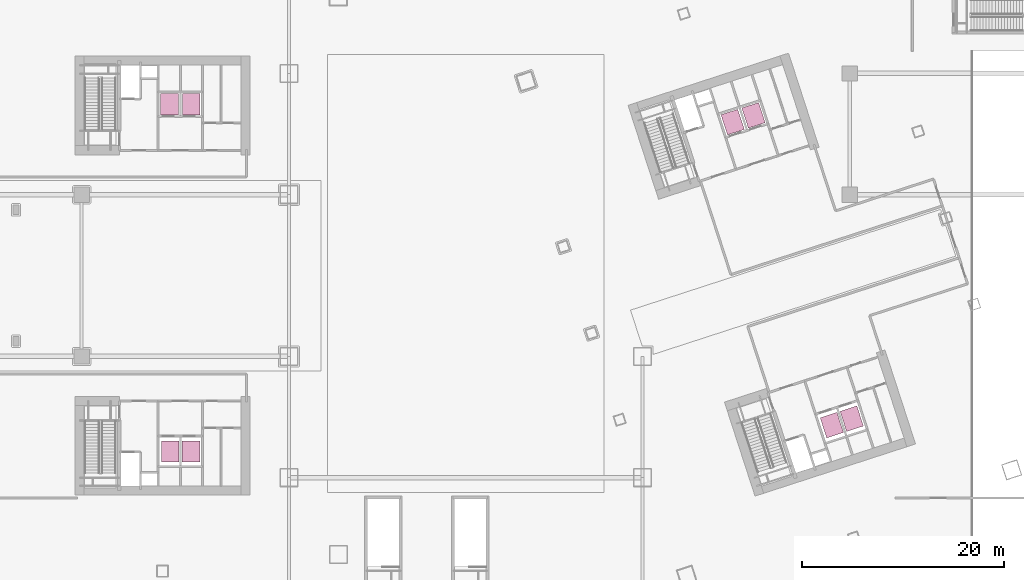
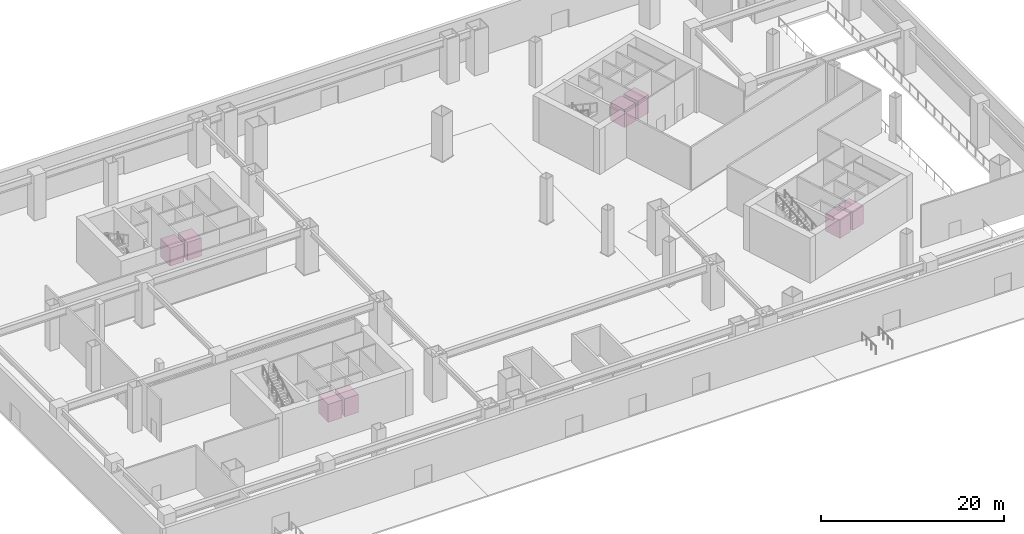
# One storey, part 31 of 31: 8 transport elements.
"""IFC4 building model written with IfcOpenShell, lengths in metres."""

from ifc_helpers import new_model, si_unit, direction, frame, origin, origin_2d, place, context, subcontext, project, spatial, rectangle, extrude, material, type_object, element, save


model = new_model("IFC4")

# Units and contexts
model_context = context("Model", 3, precision=1e-05, world=origin(), true_north=direction((0.0, 1.0)))
body_context = subcontext(model_context, "Body", "Model", "MODEL_VIEW")
ifc_project = project(units=[si_unit("LENGTHUNIT", "METRE"), si_unit("AREAUNIT", "SQUARE_METRE"), si_unit("VOLUMEUNIT", "CUBIC_METRE"), si_unit("PLANEANGLEUNIT", "RADIAN"), si_unit("MASSUNIT", "GRAM", prefix="KILO")], contexts=[model_context])

# Site, building, storey
site_placement = place(None, origin())
site = spatial("IfcSite", under=ifc_project, at=site_placement, CompositionType="ELEMENT")
building_placement = place(site_placement, origin())
building = spatial("IfcBuilding", under=site, at=building_placement, Name="Qiaolan Cultural Towers", CompositionType="ELEMENT")
storey_placement = place(building_placement, origin())
storey = spatial("IfcBuildingStorey", under=building, at=storey_placement, Name="L00", CompositionType="ELEMENT", Elevation=0.0)

# Transport elements
ifc_material = material(Name="Stainless Steel S30408 High-Speed Passenger Lift Car", Category="steel")
transport_element_type = type_object("IfcTransportElementType", Name="LFT-PASS-1600", PredefinedType="ELEVATOR", material=ifc_material)
for number, where, z_axis, x_axis, name in (
    (1, (30.75, 16.60009765625, 0.0), (0.0, 0.0, 1.0), (1.0, 0.0, 0.0), "Low-Rise Passenger Lift PL-T1-L1"),
    (2, (32.820068359375, 16.60009765625, 0.0), (0.0, 0.0, 1.0), (1.0, 0.0, 0.0), "Low-Rise Passenger Lift PL-T1-L2"),
    (3, (30.679931640625, 50.949951171875, 0.0), (0.0, 0.0, 1.0), (1.0, 0.0, 0.0), "Mid-Rise Passenger Lift PL-T1-M1"),
    (4, (32.85009765625, 50.949951171875, 0.0), (0.0, 0.0, 1.0), (1.0, 0.0, 0.0), "Sky-Park Express Lift PL-T1-M2"),
    (5, (96.228271484375, 19.2001953125, 0.0), (0.0, 0.0, 1.0), (0.951056516295, 0.309016994375, 0.0), "Low-Rise Passenger Lift PL-T2-L1"),
    (6, (98.19677734375, 19.83984375, 0.0), (0.0, 0.0, 1.0), (0.951056516295, 0.309016994375, 0.0), "Low-Rise Passenger Lift PL-T2-L2"),
    (7, (86.412109375, 49.1845703125, 0.0), (0.0, 0.0, 1.0), (0.951056516295, 0.309016994375, 0.0), "Mid-Rise Passenger Lift PL-T2-M1"),
    (8, (88.475830078125, 49.85498046875, 0.0), (0.0, 0.0, 1.0), (0.951056516295, 0.309016994375, 0.0), "Sky-Park Express Lift PL-T2-M2"),
):
    element("IfcTransportElement", number, at=place(storey_placement, frame(where, z_axis=z_axis, x_axis=x_axis)), inside=storey, type_object=transport_element_type, Name=name, PredefinedType="ELEVATOR", context=body_context, shape_type="SweptSolid", body=[
        extrude(rectangle(XDim=1.75, YDim=2.10009765625, at=origin_2d()), origin(), (0.0, 0.0, 1.0), 2.39990234375),
    ])

save(model, "model.ifc")
